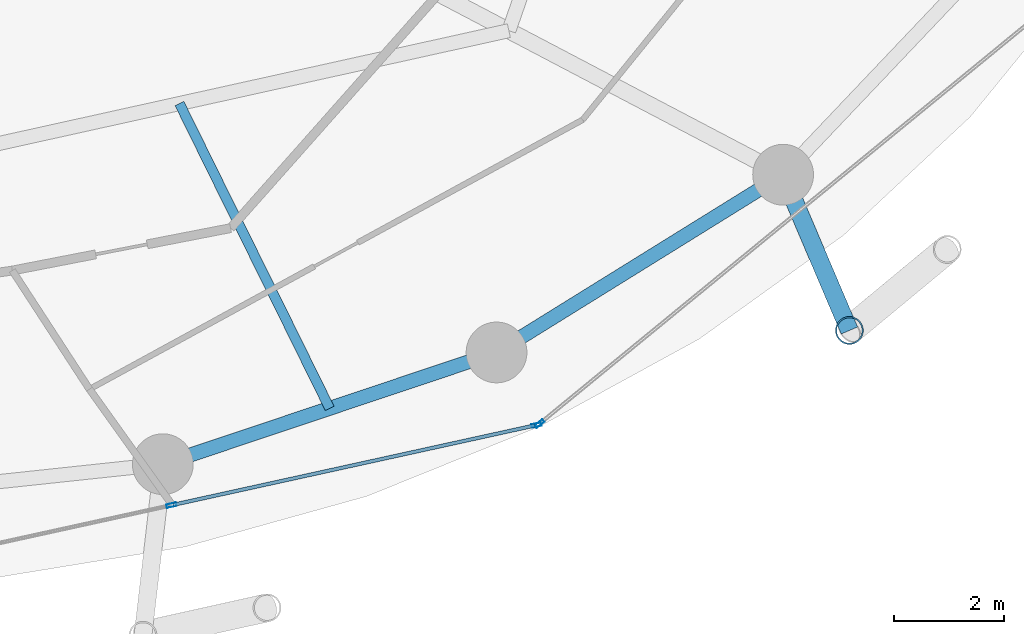
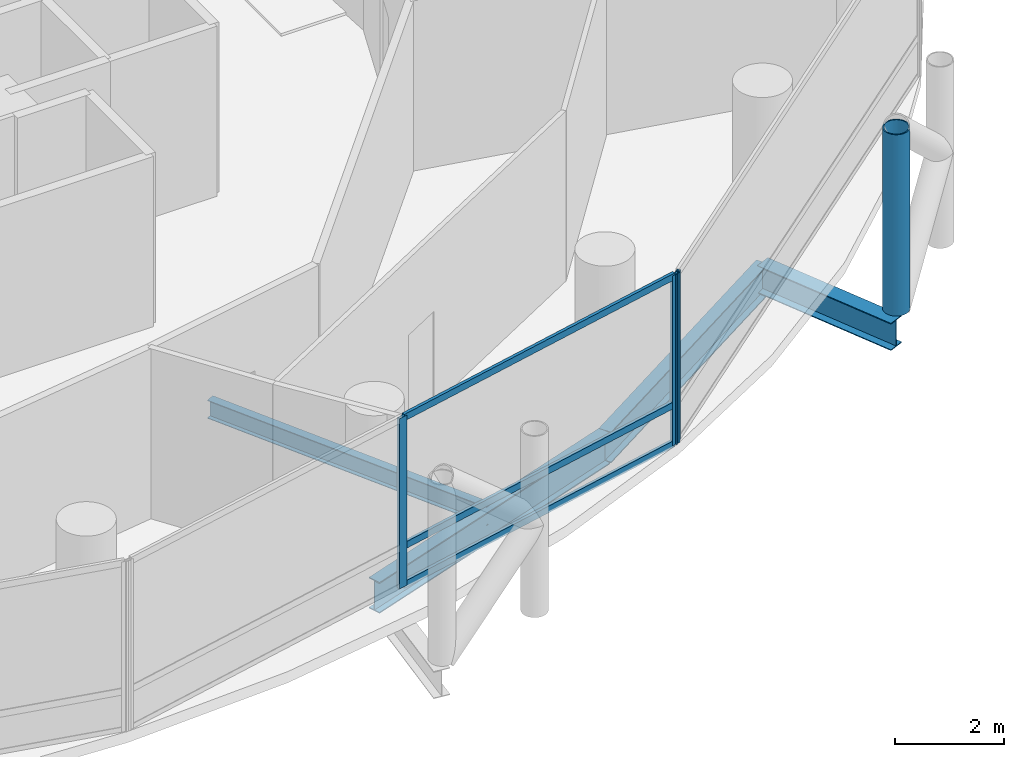
# One storey, part 8 of 24: 7 members, 4 beams, 2 elements without a shape of their own.
"""IFC4 building model written with IfcOpenShell, lengths in metres."""

import ifcopenshell
import ifcopenshell.guid

model = None  # the IFC model being written
_history = None  # IfcOwnerHistory: only IFC2X3 demands one
_inside = {}  # id of a spatial element -> (the spatial element, [elements in it])
_under = {}  # id of a project, library or spatial element -> (it, [spatial elements below it])
_declared = {}  # id of a project -> (the project, [libraries it declares])
_typed = {}  # id of a type object -> (the type object, [elements of that type])
_made_of = {}  # id of a material, layer set ... -> (it, [elements and type objects made of it])


def new_model(schema):
    """Start an empty IFC model of exactly this schema.

    Asked for "IFC4X3", IfcOpenShell would pick the latest addendum, in which some entities
    have other attributes; the version numbers below select the first issue.
    IFC2X3 requires an IfcOwnerHistory on every rooted entity: one is made here for all.
    """
    global model, _history
    if schema == "IFC4X3":
        model = ifcopenshell.file(schema_version=(4, 3, 0, 0))
    else:
        model = ifcopenshell.file(schema=schema)
    _inside.clear()
    _under.clear()
    _declared.clear()
    _typed.clear()
    _made_of.clear()
    _history = None
    if model.schema == "IFC2X3":
        org = make("IfcOrganization", Name="unknown")
        user = make(
            "IfcPersonAndOrganization",
            ThePerson=make("IfcPerson", FamilyName="unknown"),
            TheOrganization=org,
        )
        app = make(
            "IfcApplication",
            ApplicationDeveloper=org,
            Version="unknown",
            ApplicationFullName="unknown",
            ApplicationIdentifier="unknown",
        )
        _history = make(
            "IfcOwnerHistory",
            OwningUser=user,
            OwningApplication=app,
            ChangeAction="ADDED",
            CreationDate=0,
        )
    return model


def make(cls, **values):
    """One entity of the class cls with the attributes given. An attribute that is None is left unset."""
    return model.create_entity(
        cls, **{name: value for name, value in values.items() if value is not None}
    )


def rooted(cls, **values):
    """An entity with a GlobalId (a new one), such as an element, a storey or a relation."""
    return make(cls, GlobalId=ifcopenshell.guid.new(), OwnerHistory=_history, **values)


def si_unit(unit_type, name, prefix=None):
    """IfcSIUnit, for example si_unit("LENGTHUNIT", "METRE", prefix="MILLI")."""
    return make("IfcSIUnit", UnitType=unit_type, Prefix=prefix, Name=name)


def assignment(units):
    """IfcUnitAssignment: the units of a project."""
    return None if units is None else make("IfcUnitAssignment", Units=units)


def point(xyz):
    """IfcCartesianPoint."""
    return None if xyz is None else make("IfcCartesianPoint", Coordinates=xyz)


def direction(xyz):
    """IfcDirection."""
    return None if xyz is None else make("IfcDirection", DirectionRatios=xyz)


def frame(location, z_axis=None, x_axis=None):
    """IfcAxis2Placement3D, a coordinate frame: its origin and axes. An axis left out is left unset."""
    return make(
        "IfcAxis2Placement3D",
        Location=point(location),
        Axis=direction(z_axis),
        RefDirection=direction(x_axis),
    )


def frame_2d(location, x_axis=None):
    """IfcAxis2Placement2D, a coordinate frame in the plane: its origin and x axis."""
    return make(
        "IfcAxis2Placement2D", Location=point(location), RefDirection=direction(x_axis)
    )


def origin():
    """The frame at (0, 0, 0) with its axes left unset."""
    return frame((0.0, 0.0, 0.0))


def origin_2d():
    """The frame at (0, 0) in the plane with its x axis left unset."""
    return frame_2d((0.0, 0.0))


def place(relative_to, where):
    """IfcLocalPlacement: puts the frame where relative to a parent placement (None: the world)."""
    return make(
        "IfcLocalPlacement", PlacementRelTo=relative_to, RelativePlacement=where
    )


def context(
    kind, dimensions, precision=None, world=None, true_north=None, identifier=None
):
    """IfcGeometricRepresentationContext, for example the 3D "Model" context."""
    return make(
        "IfcGeometricRepresentationContext",
        ContextIdentifier=identifier,
        ContextType=kind,
        CoordinateSpaceDimension=dimensions,
        Precision=precision,
        WorldCoordinateSystem=world,
        TrueNorth=true_north,
    )


def subcontext(parent, identifier, kind, view, scale=None):
    """IfcGeometricRepresentationSubContext, for example "Body" below "Model"."""
    return make(
        "IfcGeometricRepresentationSubContext",
        ContextIdentifier=identifier,
        ContextType=kind,
        ParentContext=parent,
        TargetScale=scale,
        TargetView=view,
    )


def project(units=None, contexts=None):
    """IfcProject with its units and contexts."""
    return rooted(
        "IfcProject",
        Name="project",
        RepresentationContexts=contexts,
        UnitsInContext=assignment(units),
    )


def spatial(cls, under=None, at=None, **own):
    """A site, building, storey or space (cls), placed at a placement, below another one or the project."""
    s = rooted(cls, ObjectPlacement=at, **own)
    if under is not None:
        _under.setdefault(under.id(), (under, []))[1].append(s)
    return s


def profile(cls, at=None, kind="AREA", **sizes):
    """A parametric profile (cls). Its sizes go by their IFC names, for example OverallWidth=200.0."""
    return make(cls, ProfileType=kind, Position=at, **sizes)


def hollow_rectangle(**sizes):
    """IfcRectangleHollowProfileDef."""
    return profile("IfcRectangleHollowProfileDef", **sizes)


def hollow_circle(**sizes):
    """IfcCircleHollowProfileDef."""
    return profile("IfcCircleHollowProfileDef", **sizes)


def i_section(**sizes):
    """IfcIShapeProfileDef."""
    return profile("IfcIShapeProfileDef", **sizes)


def extrude(swept, where, along, depth):
    """IfcExtrudedAreaSolid: the profile swept, set in the frame where, extruded along a direction by depth."""
    return make(
        "IfcExtrudedAreaSolid",
        SweptArea=swept,
        Position=where,
        ExtrudedDirection=direction(along),
        Depth=depth,
    )


def shape(context_of_items, identifier, shape_type, items):
    """IfcShapeRepresentation: the items that make up one representation, for example the "Body"."""
    return make(
        "IfcShapeRepresentation",
        ContextOfItems=context_of_items,
        RepresentationIdentifier=identifier,
        RepresentationType=shape_type,
        Items=items,
    )


def material(Name=None, Category=None):
    """IfcMaterial."""
    return make("IfcMaterial", Name=Name, Category=Category)


def layer(
    of_material, thickness, ventilated=None, Name=None, Category=None, Priority=None
):
    """IfcMaterialLayer: one layer of a wall or slab, of a material (None: an air gap)."""
    return make(
        "IfcMaterialLayer",
        Material=of_material,
        LayerThickness=thickness,
        IsVentilated=ventilated,
        Name=Name,
        Category=Category,
        Priority=Priority,
    )


def layer_set(layers, Name=None):
    """IfcMaterialLayerSet."""
    return make("IfcMaterialLayerSet", MaterialLayers=layers, LayerSetName=Name)


def material_profile(
    of_material, cross_section, Name=None, Category=None, Priority=None
):
    """IfcMaterialProfile: a cross section and its material."""
    return make(
        "IfcMaterialProfile",
        Name=Name,
        Material=of_material,
        Profile=cross_section,
        Priority=Priority,
        Category=Category,
    )


def profile_set(profiles, Name=None, composite=None):
    """IfcMaterialProfileSet."""
    return make(
        "IfcMaterialProfileSet",
        Name=Name,
        MaterialProfiles=profiles,
        CompositeProfile=composite,
    )


def made_of(thing, what):
    """Note that an element or type object is made of a material, layer set ...; save() writes the relation."""
    if what is not None:
        _made_of.setdefault(what.id(), (what, []))[1].append(thing)
    return thing


def type_object(cls, material=None, **own):
    """A type object (cls), such as IfcWallType, which elements share."""
    return made_of(rooted(cls, **own), material)


def element(
    cls,
    number,
    at=None,
    inside=None,
    cuts=None,
    type_object=None,
    material=None,
    context=None,
    identifier="Body",
    shape_type=None,
    held_by="IfcProductDefinitionShape",
    body=None,
    shapes=None,
    **own,
):
    """One element of the class cls, such as IfcWall. Its Tag is "e" and its number.

    at: its placement. inside: the storey or other place that contains it. cuts: it is an
    opening in that element (IfcRelVoidsElement). A single representation is given by context,
    identifier, shape_type and body (its items); several are given by shapes. held_by: the class
    of the entity that holds the representations. save() writes the other relations.
    """
    e = rooted(cls, Tag="e%d" % number, ObjectPlacement=at, **own)
    if body is not None:
        shapes = [shape(context, identifier, shape_type, body)]
    if shapes is not None:
        e.Representation = make(held_by, Representations=shapes)
    if inside is not None:
        _inside.setdefault(inside.id(), (inside, []))[1].append(e)
    if cuts is not None:
        rooted(
            "IfcRelVoidsElement", RelatingBuildingElement=cuts, RelatedOpeningElement=e
        )
    if type_object is not None:
        _typed.setdefault(type_object.id(), (type_object, []))[1].append(e)
    return made_of(e, material)


def aggregate(whole, parts):
    """IfcRelAggregates: a whole, such as a stair, and the parts it consists of."""
    return rooted("IfcRelAggregates", RelatingObject=whole, RelatedObjects=parts)


def save(model, path):
    """Write the relations noted so far, then the file.

    IfcRelAggregates (storeys below a building ...), IfcRelContainedInSpatialStructure (elements
    in a storey), IfcRelDefinesByType, IfcRelAssociatesMaterial and IfcRelDeclares: one each for
    every whole, place, type object, material and project.
    """
    for whole, parts in _under.values():
        aggregate(whole, parts)
    for where, things in _inside.values():
        rooted(
            "IfcRelContainedInSpatialStructure",
            RelatedElements=things,
            RelatingStructure=where,
        )
    for kind, things in _typed.values():
        rooted("IfcRelDefinesByType", RelatedObjects=things, RelatingType=kind)
    for what, things in _made_of.values():
        rooted("IfcRelAssociatesMaterial", RelatedObjects=things, RelatingMaterial=what)
    for by, libraries in _declared.values():
        rooted("IfcRelDeclares", RelatingContext=by, RelatedDefinitions=libraries)
    model.write(path)


model = new_model("IFC4")

# Units and contexts
model_context = context("Model", 3, precision=1e-05, world=origin(), true_north=direction((0.0, 1.0)))
body_context = subcontext(model_context, "Body", "Model", "MODEL_VIEW")
ifc_project = project(units=[si_unit("LENGTHUNIT", "METRE"), si_unit("AREAUNIT", "SQUARE_METRE"), si_unit("VOLUMEUNIT", "CUBIC_METRE"), si_unit("PLANEANGLEUNIT", "RADIAN"), si_unit("MASSUNIT", "GRAM", prefix="KILO")], contexts=[model_context])

# Site, building, storey
site_placement = place(None, origin())
site = spatial("IfcSite", under=ifc_project, at=site_placement, CompositionType="ELEMENT")
building_placement = place(site_placement, origin())
building = spatial("IfcBuilding", under=site, at=building_placement, Name="Nuhasar Tower", CompositionType="ELEMENT")
storey_placement = place(building_placement, frame((0.0, 0.0, 85.800048828125)))
storey = spatial("IfcBuildingStorey", under=building, at=storey_placement, Name="L20", CompositionType="ELEMENT", Elevation=85.800048828125)

# Beams
ifc_material_1 = material(Name="Steel S355", Category="steel")
ifc_material_profile_1 = material_profile(ifc_material_1, i_section(OverallWidth=0.177978515625, OverallDepth=0.406005859375, WebThickness=0.0078125, FlangeThickness=0.0126953125, at=origin_2d()), Name="W16X40")
ifc_profile_set_1 = profile_set([ifc_material_profile_1], Name="Steel S355")
beam_type_1 = type_object("IfcBeamType", Name="BM-JST-W16X40", PredefinedType="JOIST", material=ifc_profile_set_1)
beam_1_placement = place(storey_placement, frame((45.783935546875, 13.77001953125, -0.453125), z_axis=(0.442126747458, -0.89695258469, 0.0), x_axis=(0.89695258469, 0.442126747458, 0.0)))
element("IfcBeam", 1, at=beam_1_placement, inside=storey, type_object=beam_type_1, Name="L20 Secondary Floor Joist 02", PredefinedType="JOIST", context=body_context, shape_type="SweptSolid", body=[
    extrude(i_section(OverallWidth=0.177978515625, OverallDepth=0.406005859375, WebThickness=0.0078125, FlangeThickness=0.0126953125, at=origin_2d()), origin(), (0.0, 0.0, 1.0), 6.152099609375),
])
ifc_material_profile_2 = material_profile(ifc_material_1, i_section(OverallWidth=0.256103515625, OverallDepth=0.693115234375, WebThickness=0.014404296875, FlangeThickness=0.023681640625, at=origin_2d()), Name="W27X114")
ifc_profile_set_2 = profile_set([ifc_material_profile_2], Name="Steel S355")
beam_type_2 = type_object("IfcBeamType", Name="BM-RING-W27X114", PredefinedType="SPANDREL", material=ifc_profile_set_2)
beam_2_placement = place(storey_placement, frame((45.48291015625, 7.239990234375, -0.59716796875), z_axis=(0.94826097201, 0.317491935271, 0.0), x_axis=(-0.317491935271, 0.94826097201, 0.0)))
element("IfcBeam", 2, at=beam_2_placement, inside=storey, type_object=beam_type_2, Name="L20 Perimeter Ring Spandrel 20", PredefinedType="SPANDREL", context=body_context, shape_type="SweptSolid", body=[
    extrude(i_section(OverallWidth=0.256103515625, OverallDepth=0.693115234375, WebThickness=0.014404296875, FlangeThickness=0.023681640625, at=origin_2d()), origin(), (0.0, 0.0, 1.0), 6.37158203125),
])
beam_3_placement = place(storey_placement, frame((51.52490234375, 9.262939453125, -0.59716796875), z_axis=(0.849795216549, 0.527112976439, 0.0), x_axis=(-0.527112976439, 0.849795216549, 0.0)))
element("IfcBeam", 3, at=beam_3_placement, inside=storey, type_object=beam_type_2, Name="L20 Perimeter Ring Spandrel 21", PredefinedType="SPANDREL", context=body_context, shape_type="SweptSolid", body=[
    extrude(i_section(OverallWidth=0.256103515625, OverallDepth=0.693115234375, WebThickness=0.014404296875, FlangeThickness=0.023681640625, at=origin_2d()), origin(), (0.0, 0.0, 1.0), 6.10498046875),
])
ifc_material_profile_3 = material_profile(ifc_material_1, i_section(OverallWidth=0.323974609375, OverallDepth=0.611083984375, WebThickness=0.0126953125, FlangeThickness=0.01904296875, at=origin_2d()), Name="W24X104")
ifc_profile_set_3 = profile_set([ifc_material_profile_3], Name="Steel S355")
beam_type_3 = type_object("IfcBeamType", Name="BM-TIE-W24X104", PredefinedType="BEAM", material=ifc_profile_set_3)
beam_4_placement = place(storey_placement, frame((56.712890625, 12.48095703125, -0.554931640625), z_axis=(0.391601084021, -0.920135093882, 0.0), x_axis=(0.920135093882, 0.391601084021, 0.0)))
element("IfcBeam", 4, at=beam_4_placement, inside=storey, type_object=beam_type_3, Name="L20 Exoskeleton Node Tie Beam 11", PredefinedType="BEAM", context=body_context, shape_type="SweptSolid", body=[
    extrude(i_section(OverallWidth=0.323974609375, OverallDepth=0.611083984375, WebThickness=0.0126953125, FlangeThickness=0.01904296875, at=origin_2d()), origin(), (0.0, 0.0, 1.0), 3.06494140625),
])

# Curtain wall, members
ifc_material_2 = material(Name="Aluminium 6063-T6", Category="aluminium")
ifc_layer = layer(ifc_material_2, 0.199951171875)
ifc_layer_set = layer_set([ifc_layer], Name="Aluminium 6063-T6")
curtain_wall_type = type_object("IfcCurtainWallType", Name="CW-Z1-OFF", PredefinedType="NOTDEFINED", material=ifc_layer_set)
curtain_wall_1_placement = place(storey_placement, origin())
curtain_wall_1 = element("IfcCurtainWall", 5, at=curtain_wall_1_placement, inside=storey, type_object=curtain_wall_type, Name="L20 Unitised Curtain Wall 10", PredefinedType="NOTDEFINED")
ifc_material_profile_4 = material_profile(ifc_material_2, hollow_rectangle(XDim=0.06494140625, YDim=0.179931640625, WallThickness=0.0048828125, at=origin_2d()), Name="CWM-2")
ifc_profile_set_4 = profile_set([ifc_material_profile_4], Name="Aluminium 6063-T6")
member_type_1 = type_object("IfcMemberType", Name="CW-MUL-S2", PredefinedType="MULLION", material=ifc_profile_set_4)
member_1_placement = place(storey_placement, frame((45.639892578125, 6.49755859375, 0.0), z_axis=(0.0, 0.0, 1.0), x_axis=(-0.214398737637, 0.976746221544, 0.0)))
member_1 = element("IfcMember", 6, at=member_1_placement, type_object=member_type_1, Name="CW-Z1 mullion 2", PredefinedType="MULLION", context=body_context, shape_type="SweptSolid", body=[
    extrude(hollow_rectangle(XDim=0.06494140625, YDim=0.179931640625, WallThickness=0.0048828125, at=origin_2d()), origin(), (0.0, 0.0, 1.0), 3.800048828125),
])
member_2_placement = place(storey_placement, frame((52.248291015625, 7.947998046875, 0.0), z_axis=(0.0, 0.0, 1.0), x_axis=(-0.214398737637, 0.976746221544, 0.0)))
member_2 = element("IfcMember", 7, at=member_2_placement, type_object=member_type_1, Name="CW-Z1 mullion 3", PredefinedType="MULLION", context=body_context, shape_type="SweptSolid", body=[
    extrude(hollow_rectangle(XDim=0.06494140625, YDim=0.179931640625, WallThickness=0.0048828125, at=origin_2d()), origin(), (0.0, 0.0, 1.0), 3.800048828125),
])

# Curtain wall, member
curtain_wall_2_placement = place(storey_placement, origin())
curtain_wall_2 = element("IfcCurtainWall", 8, at=curtain_wall_2_placement, inside=storey, type_object=curtain_wall_type, Name="L20 Unitised Curtain Wall 11", PredefinedType="NOTDEFINED")
member_3_placement = place(storey_placement, frame((52.30517578125, 7.9755859375, 0.0), z_axis=(0.0, 0.0, 1.0), x_axis=(-0.633744593376, 0.773542364946, 0.0)))
member_3 = element("IfcMember", 9, at=member_3_placement, type_object=member_type_1, Name="CW-Z1 mullion 1", PredefinedType="MULLION", context=body_context, shape_type="SweptSolid", body=[
    extrude(hollow_rectangle(XDim=0.06494140625, YDim=0.179931640625, WallThickness=0.0048828125, at=origin_2d()), origin(), (0.0, 0.0, 1.0), 3.800048828125),
])
aggregate(curtain_wall_2, [member_3])

# Member
ifc_material_profile_5 = material_profile(ifc_material_2, hollow_rectangle(XDim=0.06494140625, YDim=0.14990234375, WallThickness=0.00439453125, at=origin_2d()), Name="CWT-2")
ifc_profile_set_5 = profile_set([ifc_material_profile_5], Name="Aluminium 6063-T6")
member_type_2 = type_object("IfcMemberType", Name="CW-TRN-S2", PredefinedType="USERDEFINED", material=ifc_profile_set_5)
member_4_placement = place(storey_placement, frame((45.671630859375, 6.50439453125, 0.032470703125), z_axis=(0.976741923778, 0.214418316228, 0.0), x_axis=(-0.214418316228, 0.976741923778, 0.0)))
member_4 = element("IfcMember", 10, at=member_4_placement, type_object=member_type_2, Name="CW-Z1 transom 2.1", ObjectType="TRANSOM", PredefinedType="USERDEFINED", context=body_context, shape_type="SweptSolid", body=[
    extrude(hollow_rectangle(XDim=0.06494140625, YDim=0.14990234375, WallThickness=0.00439453125, at=origin_2d()), origin(), (0.0, 0.0, 1.0), 6.70068359375),
])

member_5_placement = place(storey_placement, frame((45.671630859375, 6.50439453125, 0.89990234375), z_axis=(0.976741923778, 0.214418316228, 0.0), x_axis=(-0.214418316228, 0.976741923778, 0.0)))
member_5 = element("IfcMember", 11, at=member_5_placement, type_object=member_type_2, Name="CW-Z1 transom 2.2", ObjectType="TRANSOM", PredefinedType="USERDEFINED", context=body_context, shape_type="SweptSolid", body=[
    extrude(hollow_rectangle(XDim=0.06494140625, YDim=0.14990234375, WallThickness=0.00439453125, at=origin_2d()), origin(), (0.0, 0.0, 1.0), 6.70068359375),
])

member_6_placement = place(storey_placement, frame((45.671630859375, 6.50439453125, 3.767333984375), z_axis=(0.976741923778, 0.214418316228, 0.0), x_axis=(-0.214418316228, 0.976741923778, 0.0)))
member_6 = element("IfcMember", 12, at=member_6_placement, type_object=member_type_2, Name="CW-Z1 transom 2.3", ObjectType="TRANSOM", PredefinedType="USERDEFINED", context=body_context, shape_type="SweptSolid", body=[
    extrude(hollow_rectangle(XDim=0.06494140625, YDim=0.14990234375, WallThickness=0.00439453125, at=origin_2d()), origin(), (0.0, 0.0, 1.0), 6.70068359375),
])

aggregate(curtain_wall_1, [member_1, member_2, member_4, member_5, member_6])

ifc_material_3 = material(Name="Steel S460", Category="steel")
ifc_material_profile_6 = material_profile(ifc_material_3, hollow_circle(Radius=0.25390625, WallThickness=0.025390625, at=origin_2d()), Name="HSS508X25.4")
ifc_profile_set_6 = profile_set([ifc_material_profile_6], Name="Steel S460")
member_type_3 = type_object("IfcMemberType", Name="EXO-BRONZE-508", PredefinedType="BRACE", material=ifc_profile_set_6)
member_7_placement = place(storey_placement, frame((57.9130859375, 9.660888671875, 0.0), z_axis=(0.0, 0.0, 1.0), x_axis=(1.0, 0.0, 0.0)))
element("IfcMember", 13, at=member_7_placement, inside=storey, type_object=member_type_3, Name="L20 Exoskeleton Chord Column EC-11A", PredefinedType="BRACE", context=body_context, shape_type="SweptSolid", body=[
    extrude(hollow_circle(Radius=0.25390625, WallThickness=0.025390625, at=origin_2d()), origin(), (0.0, 0.0, 1.0), 4.050048828125),
])

save(model, "model.ifc")
